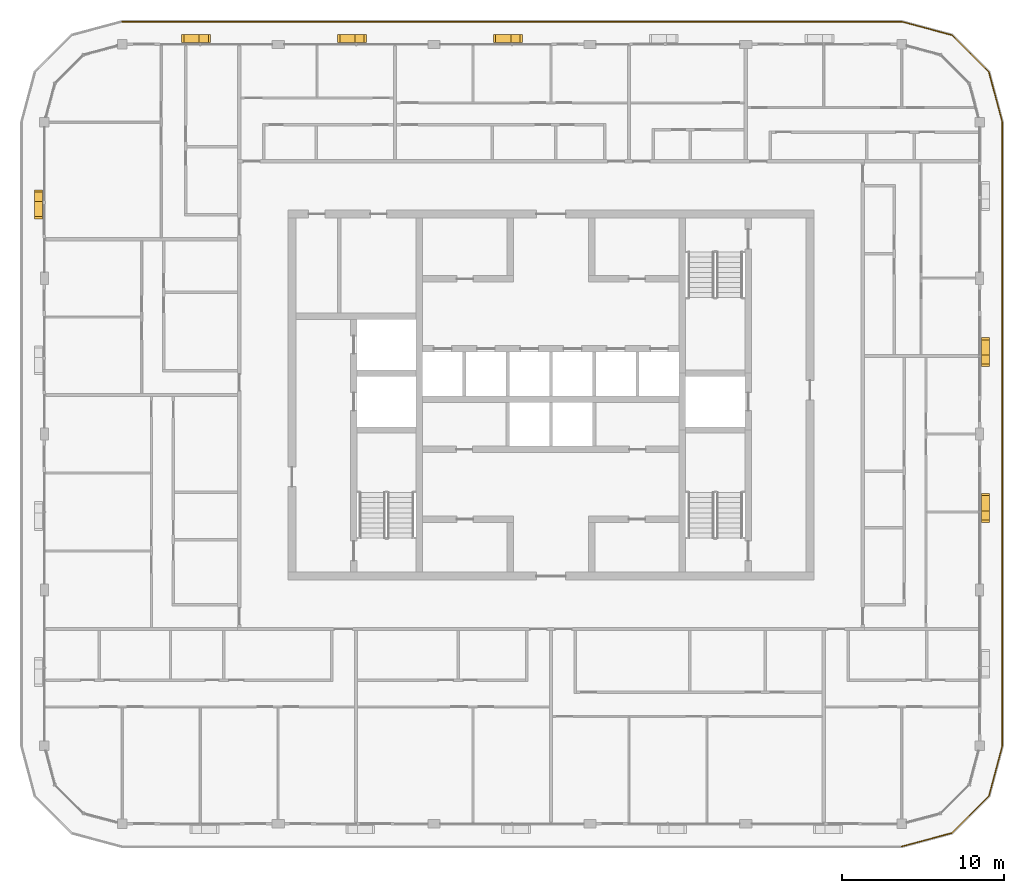
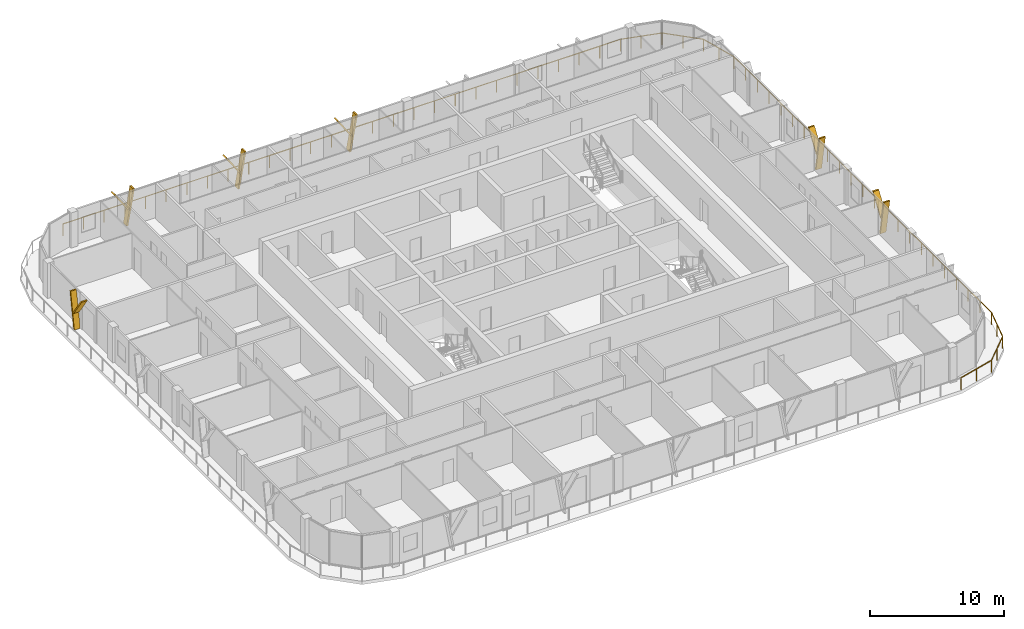
# One storey, part 20 of 21: 12 shading devices, 1 railing.
"""IFC4 building model written with IfcOpenShell, lengths in metres."""

from ifc_helpers import new_model, si_unit, direction, frame, origin, origin_2d, place, context, subcontext, project, spatial, polyline, circle, outline, extrude, material, type_object, element, save


model = new_model("IFC4")

# Units and contexts
model_context = context("Model", 3, precision=1e-05, world=origin(), true_north=direction((0.0, 1.0)))
body_context = subcontext(model_context, "Body", "Model", "MODEL_VIEW")
ifc_project = project(units=[si_unit("LENGTHUNIT", "METRE"), si_unit("AREAUNIT", "SQUARE_METRE"), si_unit("VOLUMEUNIT", "CUBIC_METRE"), si_unit("PLANEANGLEUNIT", "RADIAN"), si_unit("MASSUNIT", "GRAM", prefix="KILO")], contexts=[model_context])

# Site, building, storey
site_placement = place(None, origin())
site = spatial("IfcSite", under=ifc_project, at=site_placement, CompositionType="ELEMENT")
building_placement = place(site_placement, origin())
building = spatial("IfcBuilding", under=site, at=building_placement, Name="Madar Terraces", CompositionType="ELEMENT")
storey_placement = place(building_placement, frame((0.0, 0.0, 275.60009765625)))
storey = spatial("IfcBuildingStorey", under=building, at=storey_placement, Name="L72", CompositionType="ELEMENT", Elevation=275.60009765625)

# Railing
ifc_material_1 = material(Name="Glass, safety glazing, with stainless steel posts", Category="steel")
railing_type = type_object("IfcRailingType", Name="Balcony glass guard 1100", PredefinedType="GUARDRAIL", material=ifc_material_1)
railing_placement = place(storey_placement, frame((52.800048828125, -1.39990234375, 0.0)))
element("IfcRailing", 1, at=railing_placement, inside=storey, type_object=railing_type, Name="Balcony guard", PredefinedType="GUARDRAIL", context=body_context, shape_type="SweptSolid", body=[
    extrude(circle(Radius=0.02392578125, at=origin_2d()), frame((0.0, 0.0, 1.076171875), z_axis=(0.965928696102, 0.258808334578, 0.0), x_axis=(-0.258808334578, 0.965928696102, 0.0)), (0.0, 0.0, 1.0), 3.209228515625),
    extrude(circle(Radius=0.02392578125, at=origin_2d()), frame((3.099853515625, 0.83056640625, 1.076171875), z_axis=(0.707144815061, 0.707068745266, 0.0), x_axis=(-0.707068745266, 0.707144815061, 0.0)), (0.0, 0.0, 1.0), 3.20947265625),
    extrude(circle(Radius=0.02392578125, at=origin_2d()), frame((5.369384765625, 3.099853515625, 1.076171875), z_axis=(0.258789317819, 0.9659337912, 0.0), x_axis=(-0.9659337912, 0.258789317819, 0.0)), (0.0, 0.0, 1.0), 3.20947265625),
    extrude(circle(Radius=0.02392578125, at=origin_2d()), frame((6.199951171875, 6.199951171875, 1.076171875), z_axis=(0.0, 1.0, 0.0), x_axis=(-1.0, 0.0, 0.0)), (0.0, 0.0, 1.0), 38.39990234375),
    extrude(circle(Radius=0.02392578125, at=origin_2d()), frame((6.199951171875, 44.599853515625, 1.076171875), z_axis=(-0.258789317819, 0.9659337912, 0.0), x_axis=(-0.9659337912, -0.258789317819, 0.0)), (0.0, 0.0, 1.0), 3.20947265625),
    extrude(circle(Radius=0.02392578125, at=origin_2d()), frame((5.369384765625, 47.699951171875, 1.076171875), z_axis=(-0.707144815061, 0.707068745266, 0.0), x_axis=(-0.707068745266, -0.707144815061, 0.0)), (0.0, 0.0, 1.0), 3.20947265625),
    extrude(circle(Radius=0.02392578125, at=origin_2d()), frame((3.099853515625, 49.96923828125, 1.076171875), z_axis=(-0.965928696102, 0.258808334578, 0.0), x_axis=(-0.258808334578, -0.965928696102, 0.0)), (0.0, 0.0, 1.0), 3.209228515625),
    extrude(circle(Radius=0.02392578125, at=origin_2d()), frame((0.0, 50.7998046875, 1.076171875), z_axis=(-1.0, 0.0, 0.0), x_axis=(0.0, -1.0, 0.0)), (0.0, 0.0, 1.0), 48.0),
    extrude(circle(Radius=0.02099609375, at=origin_2d()), origin(), (0.0, 0.0, 1.0), 1.052001953125),
    extrude(circle(Radius=0.02099609375, at=origin_2d()), frame((1.5498046875, 0.415283203125, 0.0)), (0.0, 0.0, 1.0), 1.052001953125),
    extrude(circle(Radius=0.02099609375, at=origin_2d()), frame((3.099853515625, 0.83056640625, 0.0)), (0.0, 0.0, 1.0), 1.052001953125),
    extrude(circle(Radius=0.02099609375, at=origin_2d()), frame((4.234619140625, 1.96533203125, 0.0)), (0.0, 0.0, 1.0), 1.052001953125),
    extrude(circle(Radius=0.02099609375, at=origin_2d()), frame((5.369384765625, 3.099853515625, 0.0)), (0.0, 0.0, 1.0), 1.052001953125),
    extrude(circle(Radius=0.02099609375, at=origin_2d()), frame((5.78466796875, 4.64990234375, 0.0)), (0.0, 0.0, 1.0), 1.052001953125),
    extrude(circle(Radius=0.02099609375, at=origin_2d()), frame((6.199951171875, 6.199951171875, 0.0)), (0.0, 0.0, 1.0), 1.052001953125),
    extrude(circle(Radius=0.02099609375, at=origin_2d()), frame((6.199951171875, 7.9453125, 0.0)), (0.0, 0.0, 1.0), 1.052001953125),
    extrude(circle(Radius=0.02099609375, at=origin_2d()), frame((6.199951171875, 9.69091796875, 0.0)), (0.0, 0.0, 1.0), 1.052001953125),
    extrude(circle(Radius=0.02099609375, at=origin_2d()), frame((6.199951171875, 11.436279296875, 0.0)), (0.0, 0.0, 1.0), 1.052001953125),
    extrude(circle(Radius=0.02099609375, at=origin_2d()), frame((6.199951171875, 13.181640625, 0.0)), (0.0, 0.0, 1.0), 1.052001953125),
    extrude(circle(Radius=0.02099609375, at=origin_2d()), frame((6.199951171875, 14.92724609375, 0.0)), (0.0, 0.0, 1.0), 1.052001953125),
    extrude(circle(Radius=0.02099609375, at=origin_2d()), frame((6.199951171875, 16.672607421875, 0.0)), (0.0, 0.0, 1.0), 1.052001953125),
    extrude(circle(Radius=0.02099609375, at=origin_2d()), frame((6.199951171875, 18.418212890625, 0.0)), (0.0, 0.0, 1.0), 1.052001953125),
    extrude(circle(Radius=0.02099609375, at=origin_2d()), frame((6.199951171875, 20.16357421875, 0.0)), (0.0, 0.0, 1.0), 1.052001953125),
    extrude(circle(Radius=0.02099609375, at=origin_2d()), frame((6.199951171875, 21.908935546875, 0.0)), (0.0, 0.0, 1.0), 1.052001953125),
    extrude(circle(Radius=0.02099609375, at=origin_2d()), frame((6.199951171875, 23.654541015625, 0.0)), (0.0, 0.0, 1.0), 1.052001953125),
    extrude(circle(Radius=0.02099609375, at=origin_2d()), frame((6.199951171875, 25.39990234375, 0.0)), (0.0, 0.0, 1.0), 1.052001953125),
    extrude(circle(Radius=0.02099609375, at=origin_2d()), frame((6.199951171875, 27.145263671875, 0.0)), (0.0, 0.0, 1.0), 1.052001953125),
    extrude(circle(Radius=0.02099609375, at=origin_2d()), frame((6.199951171875, 28.890869140625, 0.0)), (0.0, 0.0, 1.0), 1.052001953125),
    extrude(circle(Radius=0.02099609375, at=origin_2d()), frame((6.199951171875, 30.63623046875, 0.0)), (0.0, 0.0, 1.0), 1.052001953125),
    extrude(circle(Radius=0.02099609375, at=origin_2d()), frame((6.199951171875, 32.381591796875, 0.0)), (0.0, 0.0, 1.0), 1.052001953125),
    extrude(circle(Radius=0.02099609375, at=origin_2d()), frame((6.199951171875, 34.127197265625, 0.0)), (0.0, 0.0, 1.0), 1.052001953125),
    extrude(circle(Radius=0.02099609375, at=origin_2d()), frame((6.199951171875, 35.87255859375, 0.0)), (0.0, 0.0, 1.0), 1.052001953125),
    extrude(circle(Radius=0.02099609375, at=origin_2d()), frame((6.199951171875, 37.6181640625, 0.0)), (0.0, 0.0, 1.0), 1.052001953125),
    extrude(circle(Radius=0.02099609375, at=origin_2d()), frame((6.199951171875, 39.363525390625, 0.0)), (0.0, 0.0, 1.0), 1.052001953125),
    extrude(circle(Radius=0.02099609375, at=origin_2d()), frame((6.199951171875, 41.10888671875, 0.0)), (0.0, 0.0, 1.0), 1.052001953125),
    extrude(circle(Radius=0.02099609375, at=origin_2d()), frame((6.199951171875, 42.8544921875, 0.0)), (0.0, 0.0, 1.0), 1.052001953125),
    extrude(circle(Radius=0.02099609375, at=origin_2d()), frame((6.199951171875, 44.599853515625, 0.0)), (0.0, 0.0, 1.0), 1.052001953125),
    extrude(circle(Radius=0.02099609375, at=origin_2d()), frame((5.78466796875, 46.14990234375, 0.0)), (0.0, 0.0, 1.0), 1.052001953125),
    extrude(circle(Radius=0.02099609375, at=origin_2d()), frame((5.369384765625, 47.699951171875, 0.0)), (0.0, 0.0, 1.0), 1.052001953125),
    extrude(circle(Radius=0.02099609375, at=origin_2d()), frame((4.234619140625, 48.83447265625, 0.0)), (0.0, 0.0, 1.0), 1.052001953125),
    extrude(circle(Radius=0.02099609375, at=origin_2d()), frame((3.099853515625, 49.96923828125, 0.0)), (0.0, 0.0, 1.0), 1.052001953125),
    extrude(circle(Radius=0.02099609375, at=origin_2d()), frame((1.5498046875, 50.384521484375, 0.0)), (0.0, 0.0, 1.0), 1.052001953125),
    extrude(circle(Radius=0.02099609375, at=origin_2d()), frame((0.0, 50.7998046875, 0.0)), (0.0, 0.0, 1.0), 1.052001953125),
    extrude(circle(Radius=0.02099609375, at=origin_2d()), frame((-1.77783203125, 50.7998046875, 0.0)), (0.0, 0.0, 1.0), 1.052001953125),
    extrude(circle(Radius=0.02099609375, at=origin_2d()), frame((-3.5556640625, 50.7998046875, 0.0)), (0.0, 0.0, 1.0), 1.052001953125),
    extrude(circle(Radius=0.02099609375, at=origin_2d()), frame((-5.333251953125, 50.7998046875, 0.0)), (0.0, 0.0, 1.0), 1.052001953125),
    extrude(circle(Radius=0.02099609375, at=origin_2d()), frame((-7.111083984375, 50.7998046875, 0.0)), (0.0, 0.0, 1.0), 1.052001953125),
    extrude(circle(Radius=0.02099609375, at=origin_2d()), frame((-8.888916015625, 50.7998046875, 0.0)), (0.0, 0.0, 1.0), 1.052001953125),
    extrude(circle(Radius=0.02099609375, at=origin_2d()), frame((-10.666748046875, 50.7998046875, 0.0)), (0.0, 0.0, 1.0), 1.052001953125),
    extrude(circle(Radius=0.02099609375, at=origin_2d()), frame((-12.4443359375, 50.7998046875, 0.0)), (0.0, 0.0, 1.0), 1.052001953125),
    extrude(circle(Radius=0.02099609375, at=origin_2d()), frame((-14.22216796875, 50.7998046875, 0.0)), (0.0, 0.0, 1.0), 1.052001953125),
    extrude(circle(Radius=0.02099609375, at=origin_2d()), frame((-16.0, 50.7998046875, 0.0)), (0.0, 0.0, 1.0), 1.052001953125),
    extrude(circle(Radius=0.02099609375, at=origin_2d()), frame((-17.77783203125, 50.7998046875, 0.0)), (0.0, 0.0, 1.0), 1.052001953125),
    extrude(circle(Radius=0.02099609375, at=origin_2d()), frame((-19.5556640625, 50.7998046875, 0.0)), (0.0, 0.0, 1.0), 1.052001953125),
    extrude(circle(Radius=0.02099609375, at=origin_2d()), frame((-21.333251953125, 50.7998046875, 0.0)), (0.0, 0.0, 1.0), 1.052001953125),
    extrude(circle(Radius=0.02099609375, at=origin_2d()), frame((-23.111083984375, 50.7998046875, 0.0)), (0.0, 0.0, 1.0), 1.052001953125),
    extrude(circle(Radius=0.02099609375, at=origin_2d()), frame((-24.888916015625, 50.7998046875, 0.0)), (0.0, 0.0, 1.0), 1.052001953125),
    extrude(circle(Radius=0.02099609375, at=origin_2d()), frame((-26.666748046875, 50.7998046875, 0.0)), (0.0, 0.0, 1.0), 1.052001953125),
    extrude(circle(Radius=0.02099609375, at=origin_2d()), frame((-28.4443359375, 50.7998046875, 0.0)), (0.0, 0.0, 1.0), 1.052001953125),
    extrude(circle(Radius=0.02099609375, at=origin_2d()), frame((-30.22216796875, 50.7998046875, 0.0)), (0.0, 0.0, 1.0), 1.052001953125),
    extrude(circle(Radius=0.02099609375, at=origin_2d()), frame((-32.0, 50.7998046875, 0.0)), (0.0, 0.0, 1.0), 1.052001953125),
    extrude(circle(Radius=0.02099609375, at=origin_2d()), frame((-33.77783203125, 50.7998046875, 0.0)), (0.0, 0.0, 1.0), 1.052001953125),
    extrude(circle(Radius=0.02099609375, at=origin_2d()), frame((-35.5556640625, 50.7998046875, 0.0)), (0.0, 0.0, 1.0), 1.052001953125),
    extrude(circle(Radius=0.02099609375, at=origin_2d()), frame((-37.333251953125, 50.7998046875, 0.0)), (0.0, 0.0, 1.0), 1.052001953125),
    extrude(circle(Radius=0.02099609375, at=origin_2d()), frame((-39.111083984375, 50.7998046875, 0.0)), (0.0, 0.0, 1.0), 1.052001953125),
    extrude(circle(Radius=0.02099609375, at=origin_2d()), frame((-40.888916015625, 50.7998046875, 0.0)), (0.0, 0.0, 1.0), 1.052001953125),
    extrude(circle(Radius=0.02099609375, at=origin_2d()), frame((-42.666748046875, 50.7998046875, 0.0)), (0.0, 0.0, 1.0), 1.052001953125),
    extrude(circle(Radius=0.02099609375, at=origin_2d()), frame((-44.4443359375, 50.7998046875, 0.0)), (0.0, 0.0, 1.0), 1.052001953125),
    extrude(circle(Radius=0.02099609375, at=origin_2d()), frame((-46.22216796875, 50.7998046875, 0.0)), (0.0, 0.0, 1.0), 1.052001953125),
    extrude(circle(Radius=0.02099609375, at=origin_2d()), frame((-48.0, 50.7998046875, 0.0)), (0.0, 0.0, 1.0), 1.052001953125),
])

# Shading devices
ifc_material_2 = material(Name="Aluminium, black anodised", Category="aluminium")
shading_device_type = type_object("IfcShadingDeviceType", Name="Facade fin blade 140 x 500", PredefinedType="USERDEFINED", material=ifc_material_2)
shading_device_1_placement = place(storey_placement, frame((57.949951171875, 19.1298828125, 0.0), z_axis=(0.0, 0.0, 1.0), x_axis=(0.0, 1.0, 0.0)))
element("IfcShadingDevice", 2, at=shading_device_1_placement, inside=storey, type_object=shading_device_type, Name="FIN L72 E2", ObjectType="FIN", PredefinedType="USERDEFINED", context=body_context, shape_type="SweptSolid", body=[
    extrude(outline(polyline([(0.0, 0.0), (0.14013671875, 0.0), (-0.42431640625, 3.199951171875), (-0.564208984375, 3.199951171875), (0.0, 0.0)])), frame((0.0, 0.25, 0.0), z_axis=(0.0, -1.0, 0.0), x_axis=(1.0, 0.0, 0.0)), (0.0, 0.0, 1.0), 0.5),
])
shading_device_2_placement = place(storey_placement, frame((57.949951171875, 19.01611328125, 1.43994140625), z_axis=(0.0, 0.0, 1.0), x_axis=(0.0, 1.0, 0.0)))
element("IfcShadingDevice", 3, at=shading_device_2_placement, inside=storey, type_object=shading_device_type, Name="FIN L72 E2 branch", ObjectType="FIN", PredefinedType="USERDEFINED", context=body_context, shape_type="SweptSolid", body=[
    extrude(outline(polyline([(0.0, 0.0), (0.139892578125, 0.0), (1.32958984375, 1.760009765625), (1.189697265625, 1.760009765625), (0.0, 0.0)])), frame((0.0, 0.25, 0.0), z_axis=(0.0, -1.0, 0.0), x_axis=(1.0, 0.0, 0.0)), (0.0, 0.0, 1.0), 0.5),
])
shading_device_3_placement = place(storey_placement, frame((57.949951171875, 28.72998046875, 0.0), z_axis=(0.0, 0.0, 1.0), x_axis=(0.0, 1.0, 0.0)))
element("IfcShadingDevice", 4, at=shading_device_3_placement, inside=storey, type_object=shading_device_type, Name="FIN L72 E3", ObjectType="FIN", PredefinedType="USERDEFINED", context=body_context, shape_type="SweptSolid", body=[
    extrude(outline(polyline([(0.0, 0.0), (0.14013671875, 0.0), (-0.42431640625, 3.199951171875), (-0.564208984375, 3.199951171875), (0.0, 0.0)])), frame((0.0, 0.25, 0.0), z_axis=(0.0, -1.0, 0.0), x_axis=(1.0, 0.0, 0.0)), (0.0, 0.0, 1.0), 0.5),
])
shading_device_4_placement = place(storey_placement, frame((57.949951171875, 28.6162109375, 1.43994140625), z_axis=(0.0, 0.0, 1.0), x_axis=(0.0, 1.0, 0.0)))
element("IfcShadingDevice", 5, at=shading_device_4_placement, inside=storey, type_object=shading_device_type, Name="FIN L72 E3 branch", ObjectType="FIN", PredefinedType="USERDEFINED", context=body_context, shape_type="SweptSolid", body=[
    extrude(outline(polyline([(0.0, 0.0), (0.139892578125, 0.0), (1.32958984375, 1.760009765625), (1.189697265625, 1.760009765625), (0.0, 0.0)])), frame((0.0, 0.25, 0.0), z_axis=(0.0, -1.0, 0.0), x_axis=(1.0, 0.0, 0.0)), (0.0, 0.0, 1.0), 0.5),
])
shading_device_5_placement = place(storey_placement, frame((28.8701171875, 48.35009765625, 0.0), z_axis=(0.0, 0.0, 1.0), x_axis=(-1.0, 0.0, 0.0)))
element("IfcShadingDevice", 6, at=shading_device_5_placement, inside=storey, type_object=shading_device_type, Name="FIN L72 N3", ObjectType="FIN", PredefinedType="USERDEFINED", context=body_context, shape_type="SweptSolid", body=[
    extrude(outline(polyline([(0.0, 0.0), (0.14013671875, 0.0), (-0.42431640625, 3.199951171875), (-0.564208984375, 3.199951171875), (0.0, 0.0)])), frame((0.0, 0.25, 0.0), z_axis=(0.0, -1.0, 0.0), x_axis=(1.0, 0.0, 0.0)), (0.0, 0.0, 1.0), 0.5),
])
shading_device_6_placement = place(storey_placement, frame((28.98388671875, 48.35009765625, 1.43994140625), z_axis=(0.0, 0.0, 1.0), x_axis=(-1.0, 0.0, 0.0)))
element("IfcShadingDevice", 7, at=shading_device_6_placement, inside=storey, type_object=shading_device_type, Name="FIN L72 N3 branch", ObjectType="FIN", PredefinedType="USERDEFINED", context=body_context, shape_type="SweptSolid", body=[
    extrude(outline(polyline([(0.0, 0.0), (0.139892578125, 0.0), (1.32958984375, 1.760009765625), (1.189697265625, 1.760009765625), (0.0, 0.0)])), frame((0.0, 0.25, 0.0), z_axis=(0.0, -1.0, 0.0), x_axis=(1.0, 0.0, 0.0)), (0.0, 0.0, 1.0), 0.5),
])
shading_device_7_placement = place(storey_placement, frame((19.27001953125, 48.35009765625, 0.0), z_axis=(0.0, 0.0, 1.0), x_axis=(-1.0, 0.0, 0.0)))
element("IfcShadingDevice", 8, at=shading_device_7_placement, inside=storey, type_object=shading_device_type, Name="FIN L72 N4", ObjectType="FIN", PredefinedType="USERDEFINED", context=body_context, shape_type="SweptSolid", body=[
    extrude(outline(polyline([(0.0, 0.0), (0.14013671875, 0.0), (-0.42431640625, 3.199951171875), (-0.564208984375, 3.199951171875), (0.0, 0.0)])), frame((0.0, 0.25, 0.0), z_axis=(0.0, -1.0, 0.0), x_axis=(1.0, 0.0, 0.0)), (0.0, 0.0, 1.0), 0.5),
])
shading_device_8_placement = place(storey_placement, frame((19.3837890625, 48.35009765625, 1.43994140625), z_axis=(0.0, 0.0, 1.0), x_axis=(-1.0, 0.0, 0.0)))
element("IfcShadingDevice", 9, at=shading_device_8_placement, inside=storey, type_object=shading_device_type, Name="FIN L72 N4 branch", ObjectType="FIN", PredefinedType="USERDEFINED", context=body_context, shape_type="SweptSolid", body=[
    extrude(outline(polyline([(0.0, 0.0), (0.139892578125, 0.0), (1.32958984375, 1.760009765625), (1.189697265625, 1.760009765625), (0.0, 0.0)])), frame((0.0, 0.25, 0.0), z_axis=(0.0, -1.0, 0.0), x_axis=(1.0, 0.0, 0.0)), (0.0, 0.0, 1.0), 0.5),
])
shading_device_9_placement = place(storey_placement, frame((9.669921875, 48.35009765625, 0.0), z_axis=(0.0, 0.0, 1.0), x_axis=(-1.0, 0.0, 0.0)))
element("IfcShadingDevice", 10, at=shading_device_9_placement, inside=storey, type_object=shading_device_type, Name="FIN L72 N5", ObjectType="FIN", PredefinedType="USERDEFINED", context=body_context, shape_type="SweptSolid", body=[
    extrude(outline(polyline([(0.0, 0.0), (0.139892578125, 0.0), (-0.42431640625, 3.199951171875), (-0.564208984375, 3.199951171875), (0.0, 0.0)])), frame((0.0, 0.25, 0.0), z_axis=(0.0, -1.0, 0.0), x_axis=(1.0, 0.0, 0.0)), (0.0, 0.0, 1.0), 0.5),
])
shading_device_10_placement = place(storey_placement, frame((9.783935546875, 48.35009765625, 1.43994140625), z_axis=(0.0, 0.0, 1.0), x_axis=(-1.0, 0.0, 0.0)))
element("IfcShadingDevice", 11, at=shading_device_10_placement, inside=storey, type_object=shading_device_type, Name="FIN L72 N5 branch", ObjectType="FIN", PredefinedType="USERDEFINED", context=body_context, shape_type="SweptSolid", body=[
    extrude(outline(polyline([(0.0, 0.0), (0.14013671875, 0.0), (1.32958984375, 1.760009765625), (1.189697265625, 1.760009765625), (0.0, 0.0)])), frame((0.0, 0.25, 0.0), z_axis=(0.0, -1.0, 0.0), x_axis=(1.0, 0.0, 0.0)), (0.0, 0.0, 1.0), 0.5),
])
shading_device_11_placement = place(storey_placement, frame((-0.35009765625, 38.469970703125, 0.0), z_axis=(0.0, 0.0, 1.0), x_axis=(0.0, -1.0, 0.0)))
element("IfcShadingDevice", 12, at=shading_device_11_placement, inside=storey, type_object=shading_device_type, Name="FIN L72 W1", ObjectType="FIN", PredefinedType="USERDEFINED", context=body_context, shape_type="SweptSolid", body=[
    extrude(outline(polyline([(0.0, 0.0), (0.139892578125, 0.0), (-0.42431640625, 3.199951171875), (-0.564208984375, 3.199951171875), (0.0, 0.0)])), frame((0.0, 0.25, 0.0), z_axis=(0.0, -1.0, 0.0), x_axis=(1.0, 0.0, 0.0)), (0.0, 0.0, 1.0), 0.5),
])
shading_device_12_placement = place(storey_placement, frame((-0.35009765625, 38.583984375, 1.43994140625), z_axis=(0.0, 0.0, 1.0), x_axis=(0.0, -1.0, 0.0)))
element("IfcShadingDevice", 13, at=shading_device_12_placement, inside=storey, type_object=shading_device_type, Name="FIN L72 W1 branch", ObjectType="FIN", PredefinedType="USERDEFINED", context=body_context, shape_type="SweptSolid", body=[
    extrude(outline(polyline([(0.0, 0.0), (0.14013671875, 0.0), (1.32958984375, 1.760009765625), (1.189697265625, 1.760009765625), (0.0, 0.0)])), frame((0.0, 0.25, 0.0), z_axis=(0.0, -1.0, 0.0), x_axis=(1.0, 0.0, 0.0)), (0.0, 0.0, 1.0), 0.5),
])

save(model, "model.ifc")
